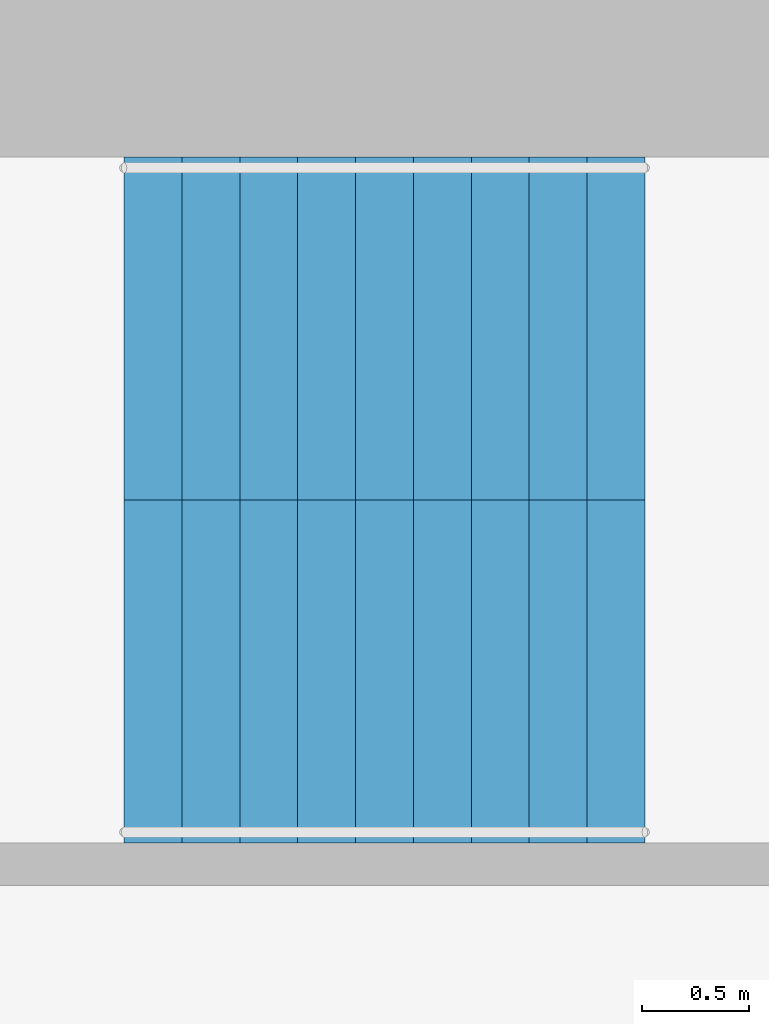
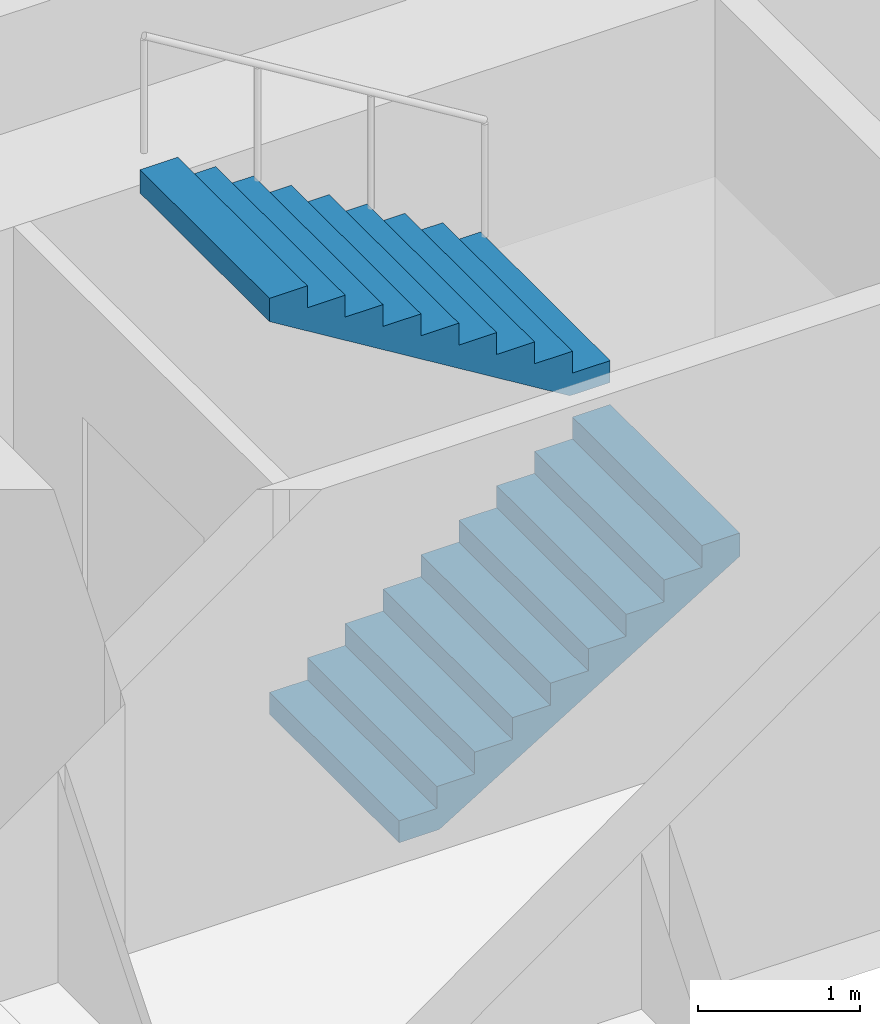
# One storey, part 10 of 13: 2 stair flights, 1 element without a shape of its own.
"""IFC4 building model written with IfcOpenShell, lengths in metres."""

from ifc_helpers import new_model, si_unit, direction, frame, origin, place, context, subcontext, project, spatial, polyline, outline, extrude, material, type_object, element, aggregate, save


model = new_model("IFC4")

# Units and contexts
model_context = context("Model", 3, precision=1e-05, world=origin(), true_north=direction((0.0, 1.0)))
body_context = subcontext(model_context, "Body", "Model", "MODEL_VIEW")
ifc_project = project(units=[si_unit("LENGTHUNIT", "METRE"), si_unit("AREAUNIT", "SQUARE_METRE"), si_unit("VOLUMEUNIT", "CUBIC_METRE"), si_unit("PLANEANGLEUNIT", "RADIAN"), si_unit("MASSUNIT", "GRAM", prefix="KILO")], contexts=[model_context])

# Site, building, storey
site_placement = place(None, origin())
site = spatial("IfcSite", under=ifc_project, at=site_placement, CompositionType="ELEMENT")
building_placement = place(site_placement, origin())
building = spatial("IfcBuilding", under=site, at=building_placement, Name="Taillehof Tower", CompositionType="ELEMENT")
storey_placement = place(building_placement, frame((0.0, 0.0, 58.0)))
storey = spatial("IfcBuildingStorey", under=building, at=storey_placement, Name="L15", CompositionType="ELEMENT", Elevation=58.0)

# Stair, stair flights
ifc_material_1 = material(Name="Concrete C40/50", Category="concrete")
stair_type = type_object("IfcStairType", Name="Exit stair half-turn", PredefinedType="HALF_TURN_STAIR", material=ifc_material_1)
stair_placement = place(storey_placement, origin())
stair = element("IfcStair", 1, at=stair_placement, inside=storey, type_object=stair_type, Name="Exit stair S1", PredefinedType="HALF_TURN_STAIR")
ifc_material_2 = material(Name="Concrete C40/50", Category="concrete")
stair_flight_type = type_object("IfcStairFlightType", Name="Stair flight 1600 riser 165.0 going 270", PredefinedType="STRAIGHT", material=ifc_material_2)
stair_flight_1_placement = place(storey_placement, frame((7.0, 6.699951171875, 0.0), z_axis=(0.0, 0.0, 1.0), x_axis=(1.0, 0.0, 0.0)))
stair_flight_1 = element("IfcStairFlight", 2, at=stair_flight_1_placement, type_object=stair_flight_type, Name="S1 flight 1", NumberOfRisers=10, NumberOfTreads=9, PredefinedType="STRAIGHT", RiserHeight=0.165, TreadLength=0.27, context=body_context, shape_type="SweptSolid", body=[
    extrude(outline(polyline([(0.0, 0.0), (0.0, 0.00537109375), (0.0, 0.0107421875), (0.0, 0.015869140625), (0.0, 0.021240234375), (0.0, 0.026611328125), (0.0, 0.031982421875), (0.0, 0.037353515625), (0.0, 0.04248046875), (0.0, 0.0478515625), (0.0, 0.05322265625), (0.0, 0.05859375), (0.0, 0.06396484375), (0.0, 0.069091796875), (0.0, 0.074462890625), (0.0, 0.079833984375), (0.0, 0.085205078125), (0.0, 0.090576171875), (0.0, 0.095703125), (0.0, 0.10107421875), (0.0, 0.1064453125), (0.0, 0.11181640625), (0.0, 0.1171875), (0.0, 0.122314453125), (0.0, 0.127685546875), (0.0, 0.133056640625), (0.0, 0.138427734375), (0.0, 0.143798828125), (0.0, 0.14892578125), (0.0, 0.154296875), (0.0, 0.15966796875), (0.0, 0.1650390625), (0.27001953125, 0.1650390625), (0.27001953125, 0.330078125), (0.5400390625, 0.330078125), (0.5400390625, 0.4951171875), (0.81005859375, 0.4951171875), (0.81005859375, 0.659912109375), (1.080078125, 0.659912109375), (1.080078125, 0.824951171875), (1.35009765625, 0.824951171875), (1.35009765625, 0.989990234375), (1.6201171875, 0.989990234375), (1.6201171875, 1.155029296875), (1.889892578125, 1.155029296875), (1.889892578125, 1.320068359375), (2.159912109375, 1.320068359375), (2.159912109375, 1.485107421875), (2.429931640625, 1.485107421875), (2.429931640625, 1.479248046875), (2.429931640625, 1.4736328125), (2.429931640625, 1.468017578125), (2.429931640625, 1.46240234375), (2.429931640625, 1.45654296875), (2.429931640625, 1.450927734375), (2.429931640625, 1.4453125), (2.429931640625, 1.439697265625), (2.429931640625, 1.43408203125), (2.429931640625, 1.42822265625), (2.429931640625, 1.422607421875), (2.429931640625, 1.4169921875), (2.429931640625, 1.411376953125), (2.429931640625, 1.40576171875), (2.429931640625, 1.39990234375), (2.429931640625, 1.394287109375), (2.429931640625, 1.388671875), (2.429931640625, 1.383056640625), (2.429931640625, 1.37744140625), (2.429931640625, 1.37158203125), (2.429931640625, 1.365966796875), (2.429931640625, 1.3603515625), (2.429931640625, 1.354736328125), (2.429931640625, 1.348876953125), (2.429931640625, 1.34326171875), (2.429931640625, 1.337646484375), (2.429931640625, 1.33203125), (2.429931640625, 1.326416015625), (2.429931640625, 1.320556640625), (2.429931640625, 1.31494140625), (2.429931640625, 1.309326171875), (0.287353515625, 0.0), (0.0, 0.0)])), frame((0.0, 0.800048828125, 0.0), z_axis=(0.0, -1.0, 0.0), x_axis=(1.0, 0.0, 0.0)), (0.0, 0.0, 1.0), 1.6),
])
stair_flight_2_placement = place(storey_placement, frame((9.429931640625, 8.300048828125, 1.64990234375), z_axis=(0.0, 0.0, 1.0), x_axis=(-1.0, 0.0, 0.0)))
stair_flight_2 = element("IfcStairFlight", 3, at=stair_flight_2_placement, type_object=stair_flight_type, Name="S1 flight 2", NumberOfRisers=10, NumberOfTreads=9, PredefinedType="STRAIGHT", RiserHeight=0.165, TreadLength=0.27, context=body_context, shape_type="SweptSolid", body=[
    extrude(outline(polyline([(0.0, 0.0), (0.0, 0.00537109375), (0.0, 0.0107421875), (0.0, 0.015869140625), (0.0, 0.021240234375), (0.0, 0.026611328125), (0.0, 0.031982421875), (0.0, 0.037353515625), (0.0, 0.04248046875), (0.0, 0.0478515625), (0.0, 0.05322265625), (0.0, 0.05859375), (0.0, 0.06396484375), (0.0, 0.069091796875), (0.0, 0.074462890625), (0.0, 0.079833984375), (0.0, 0.085205078125), (0.0, 0.090576171875), (0.0, 0.095703125), (0.0, 0.10107421875), (0.0, 0.1064453125), (0.0, 0.11181640625), (0.0, 0.1171875), (0.0, 0.122314453125), (0.0, 0.127685546875), (0.0, 0.133056640625), (0.0, 0.138427734375), (0.0, 0.143798828125), (0.0, 0.14892578125), (0.0, 0.154296875), (0.0, 0.15966796875), (0.0, 0.1650390625), (0.27001953125, 0.1650390625), (0.27001953125, 0.330078125), (0.5400390625, 0.330078125), (0.5400390625, 0.4951171875), (0.81005859375, 0.4951171875), (0.81005859375, 0.659912109375), (1.080078125, 0.659912109375), (1.080078125, 0.824951171875), (1.35009765625, 0.824951171875), (1.35009765625, 0.989990234375), (1.6201171875, 0.989990234375), (1.6201171875, 1.155029296875), (1.889892578125, 1.155029296875), (1.889892578125, 1.320068359375), (2.159912109375, 1.320068359375), (2.159912109375, 1.485107421875), (2.429931640625, 1.485107421875), (2.429931640625, 1.479248046875), (2.429931640625, 1.4736328125), (2.429931640625, 1.468017578125), (2.429931640625, 1.46240234375), (2.429931640625, 1.45654296875), (2.429931640625, 1.450927734375), (2.429931640625, 1.4453125), (2.429931640625, 1.439697265625), (2.429931640625, 1.43408203125), (2.429931640625, 1.42822265625), (2.429931640625, 1.422607421875), (2.429931640625, 1.4169921875), (2.429931640625, 1.411376953125), (2.429931640625, 1.40576171875), (2.429931640625, 1.39990234375), (2.429931640625, 1.394287109375), (2.429931640625, 1.388671875), (2.429931640625, 1.383056640625), (2.429931640625, 1.37744140625), (2.429931640625, 1.37158203125), (2.429931640625, 1.365966796875), (2.429931640625, 1.3603515625), (2.429931640625, 1.354736328125), (2.429931640625, 1.348876953125), (2.429931640625, 1.34326171875), (2.429931640625, 1.337646484375), (2.429931640625, 1.33203125), (2.429931640625, 1.326416015625), (2.429931640625, 1.320556640625), (2.429931640625, 1.31494140625), (2.429931640625, 1.309326171875), (0.287353515625, 0.0), (0.0, 0.0)])), frame((0.0, 0.800048828125, 0.0), z_axis=(0.0, -1.0, 0.0), x_axis=(1.0, 0.0, 0.0)), (0.0, 0.0, 1.0), 1.6),
])
aggregate(stair, [stair_flight_1, stair_flight_2])

save(model, "model.ifc")
